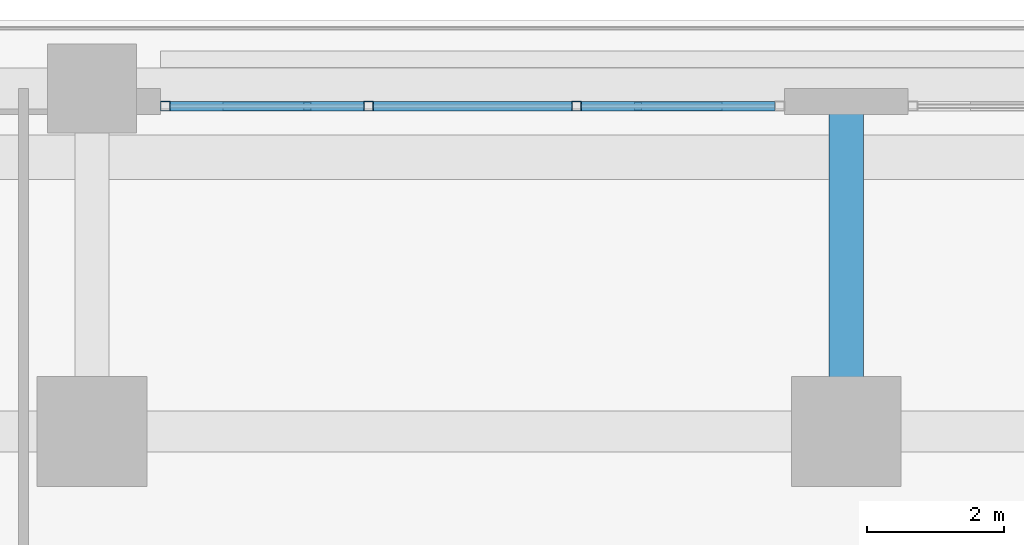
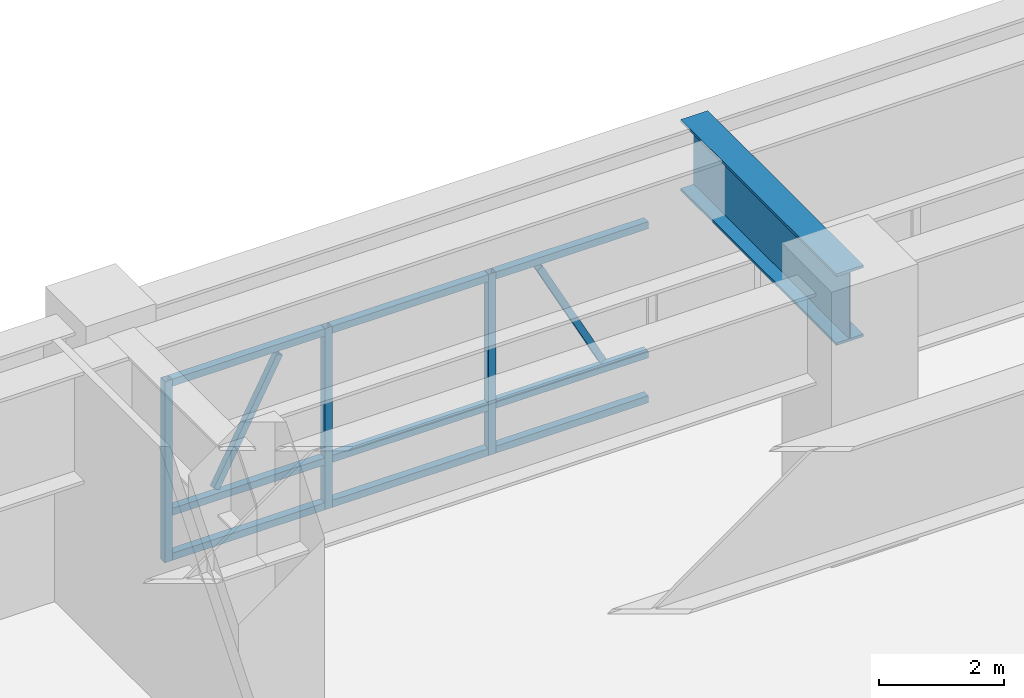
# One storey, part 8 of 28: 14 members, 1 beam, 1 element without a shape of its own.
"""IFC4 building model written with IfcOpenShell, lengths in metres."""

from ifc_helpers import new_model, si_unit, direction, frame, origin, origin_2d, place, context, subcontext, project, spatial, hollow_rectangle, i_section, extrude, source, transform, mapped, material, material_profile, profile_set, type_object, element, aggregate, save


model = new_model("IFC4")

# Units and contexts
model_context = context("Model", 3, precision=1e-05, world=origin(), true_north=direction((0.0, 1.0)))
body_context = subcontext(model_context, "Body", "Model", "MODEL_VIEW")
ifc_project = project(units=[si_unit("LENGTHUNIT", "METRE"), si_unit("AREAUNIT", "SQUARE_METRE"), si_unit("VOLUMEUNIT", "CUBIC_METRE"), si_unit("PLANEANGLEUNIT", "RADIAN"), si_unit("MASSUNIT", "GRAM", prefix="KILO")], contexts=[model_context])

# Site, building, storey
site_placement = place(None, origin())
site = spatial("IfcSite", under=ifc_project, at=site_placement, CompositionType="ELEMENT")
building_placement = place(site_placement, origin())
building = spatial("IfcBuilding", under=site, at=building_placement, Name="Khorayat Bourse Tower", CompositionType="ELEMENT")
storey_placement = place(building_placement, frame((0.0, 0.0, 6.60009765625)))
storey = spatial("IfcBuildingStorey", under=building, at=storey_placement, Name="L01", CompositionType="ELEMENT", Elevation=6.60009765625)

# Beam
ifc_material_1 = material(Name="Steel EN 10025-4 S460M", Category="steel")
ifc_material_profile_1 = material_profile(ifc_material_1, i_section(OverallWidth=0.5, OverallDepth=1.39990234375, WebThickness=0.02490234375, FlangeThickness=0.050048828125, at=origin_2d()), Name="PG 1400x500x25x50")
ifc_profile_set_1 = profile_set([ifc_material_profile_1], Name="Steel EN 10025-4 S460M")
beam_type = type_object("IfcBeamType", Name="BM-TR-1400", PredefinedType="BEAM", material=ifc_profile_set_1)
shared_shape_1 = source(origin(), body_context, "Body", "SweptSolid", [
    extrude(i_section(OverallWidth=0.5, OverallDepth=1.39990234375, WebThickness=0.02490234375, FlangeThickness=0.050048828125, at=origin_2d()), origin(), (0.0, 0.0, 1.0), 5.0),
])
beam_placement = place(storey_placement, frame((0.0, 32.0, 4.3798828125), z_axis=(0.0, 1.0, 0.0), x_axis=(-1.0, 0.0, 0.0)))
element("IfcBeam", 1, at=beam_placement, inside=storey, type_object=beam_type, Name="L01 BM-TR-1400 BM-L01-PGY-132", PredefinedType="BEAM", context=body_context, shape_type="MappedRepresentation", body=[
    mapped(shared_shape_1, transform((0.0, 0.0, 0.0), scale=1.0)),
])

# Curtain wall, members
ifc_material_2 = material(Name="Aluminium EN AW-6063 T6", Category="aluminium")
curtain_wall_type = type_object("IfcCurtainWallType", Name="CW-SYS-01", PredefinedType="NOTDEFINED", material=ifc_material_2)
curtain_wall_placement = place(storey_placement, origin())
curtain_wall = element("IfcCurtainWall", 2, at=curtain_wall_placement, inside=storey, type_object=curtain_wall_type, Name="L01 Curtain Wall CW-L01-NW", PredefinedType="NOTDEFINED")
ifc_material_profile_2 = material_profile(ifc_material_2, hollow_rectangle(XDim=0.139892578125, YDim=0.139892578125, WallThickness=0.006103515625, at=origin_2d()), Name="ALU 140x140x6")
ifc_profile_set_2 = profile_set([ifc_material_profile_2], Name="Aluminium EN AW-6063 T6")
member_type_1 = type_object("IfcMemberType", Name="CWM-VERT-140", PredefinedType="MULLION", material=ifc_profile_set_2)
shared_shape_2 = source(origin(), body_context, "Body", "SweptSolid", [
    extrude(hollow_rectangle(XDim=0.139892578125, YDim=0.139892578125, WallThickness=0.006103515625, at=origin_2d()), origin(), (0.0, 0.0, 1.0), 3.5498046875),
])
member_1_placement = place(storey_placement, frame((-3.933349609375, 36.742919921875, 0.0), z_axis=(0.0, 0.0, 1.0), x_axis=(0.0, -1.0, 0.0)))
member_1 = element("IfcMember", 3, at=member_1_placement, type_object=member_type_1, Name="CW-L01-NW Vertical Mullion 2", PredefinedType="MULLION", context=body_context, shape_type="MappedRepresentation", body=[
    mapped(shared_shape_2, transform((0.0, 0.0, 0.0), scale=1.0)),
])
member_2_placement = place(storey_placement, frame((-6.966552734375, 36.742919921875, 0.0), z_axis=(0.0, 0.0, 1.0), x_axis=(0.0, -1.0, 0.0)))
member_2 = element("IfcMember", 4, at=member_2_placement, type_object=member_type_1, Name="CW-L01-NW Vertical Mullion 3", PredefinedType="MULLION", context=body_context, shape_type="MappedRepresentation", body=[
    mapped(shared_shape_2, transform((0.0, 0.0, 0.0), scale=1.0)),
])
member_3_placement = place(storey_placement, frame((-9.929931640625, 36.742919921875, 0.0), z_axis=(0.0, 0.0, 1.0), x_axis=(0.0, -1.0, 0.0)))
member_3 = element("IfcMember", 5, at=member_3_placement, type_object=member_type_1, Name="CW-L01-NW Vertical Mullion 4", PredefinedType="MULLION", context=body_context, shape_type="MappedRepresentation", body=[
    mapped(shared_shape_2, transform((0.0, 0.0, 0.0), scale=1.0)),
])
ifc_material_profile_3 = material_profile(ifc_material_2, hollow_rectangle(XDim=0.139892578125, YDim=0.139892578125, WallThickness=0.006103515625, at=origin_2d()), Name="ALU 140x140x6")
ifc_profile_set_3 = profile_set([ifc_material_profile_3], Name="Aluminium EN AW-6063 T6")
member_type_2 = type_object("IfcMemberType", Name="CWT-HORZ-140", PredefinedType="USERDEFINED", material=ifc_profile_set_3)
shared_shape_3 = source(origin(), body_context, "Body", "SweptSolid", [
    extrude(hollow_rectangle(XDim=0.139892578125, YDim=0.139892578125, WallThickness=0.006103515625, at=origin_2d()), origin(), (0.0, 0.0, 1.0), 2.823486328125),
])
member_4_placement = place(storey_placement, frame((-7.03662109375, 36.742919921875, 0.06982421875), z_axis=(-1.0, 0.0, 0.0), x_axis=(0.0, -1.0, 0.0)))
member_4 = element("IfcMember", 6, at=member_4_placement, type_object=member_type_2, Name="CW-L01-NW Horizontal Transom 3-1", ObjectType="TRANSOM", PredefinedType="USERDEFINED", context=body_context, shape_type="MappedRepresentation", body=[
    mapped(shared_shape_3, transform((0.0, 0.0, 0.0), scale=1.0)),
])
member_5_placement = place(storey_placement, frame((-7.03662109375, 36.742919921875, 0.949951171875), z_axis=(-1.0, 0.0, 0.0), x_axis=(0.0, -1.0, 0.0)))
member_5 = element("IfcMember", 7, at=member_5_placement, type_object=member_type_2, Name="CW-L01-NW Horizontal Transom 3-2", ObjectType="TRANSOM", PredefinedType="USERDEFINED", context=body_context, shape_type="MappedRepresentation", body=[
    mapped(shared_shape_3, transform((0.0, 0.0, 0.0), scale=1.0)),
])
member_6_placement = place(storey_placement, frame((-7.03662109375, 36.742919921875, 3.47998046875), z_axis=(-1.0, 0.0, 0.0), x_axis=(0.0, -1.0, 0.0)))
member_6 = element("IfcMember", 8, at=member_6_placement, type_object=member_type_2, Name="CW-L01-NW Horizontal Transom 3-3", ObjectType="TRANSOM", PredefinedType="USERDEFINED", context=body_context, shape_type="MappedRepresentation", body=[
    mapped(shared_shape_3, transform((0.0, 0.0, 0.0), scale=1.0)),
])
ifc_material_profile_4 = material_profile(ifc_material_2, hollow_rectangle(XDim=0.1201171875, YDim=0.1201171875, WallThickness=0.0048828125, at=origin_2d()), Name="ALU 120x120x5")
ifc_profile_set_4 = profile_set([ifc_material_profile_4], Name="Aluminium EN AW-6063 T6")
member_type_3 = type_object("IfcMemberType", Name="CWM-DIAG-120", PredefinedType="MULLION", material=ifc_profile_set_4)
shared_shape_4 = source(origin(), body_context, "Body", "SweptSolid", [
    extrude(hollow_rectangle(XDim=0.1201171875, YDim=0.1201171875, WallThickness=0.0048828125, at=origin_2d()), origin(), (0.0, 0.0, 1.0), 2.52001953125),
])
member_7_placement = place(storey_placement, frame((-1.86474609375, 36.742919921875, 1.099853515625), z_axis=(-0.465794346287, 0.0, 0.884893003118), x_axis=(0.0, -1.0, 0.0)))
member_7 = element("IfcMember", 9, at=member_7_placement, type_object=member_type_3, Name="CW-L01-NW Faceted Diagonal Mullion 1", PredefinedType="MULLION", context=body_context, shape_type="MappedRepresentation", body=[
    mapped(shared_shape_4, transform((0.0, 0.0, 0.0), scale=1.0)),
])
member_8_placement = place(storey_placement, frame((-9.03515625, 36.742919921875, 1.099853515625), z_axis=(0.465718481425, 0.0, 0.884932933085), x_axis=(0.0, 1.0, 0.0)))
member_8 = element("IfcMember", 10, at=member_8_placement, type_object=member_type_3, Name="CW-L01-NW Faceted Diagonal Mullion 3", PredefinedType="MULLION", context=body_context, shape_type="MappedRepresentation", body=[
    mapped(shared_shape_4, transform((0.0, 0.0, 0.0), scale=1.0)),
])
shared_shape_5 = source(origin(), body_context, "Body", "SweptSolid", [
    extrude(hollow_rectangle(XDim=0.139892578125, YDim=0.139892578125, WallThickness=0.006103515625, at=origin_2d()), origin(), (0.0, 0.0, 1.0), 2.893310546875),
])
member_9_placement = place(storey_placement, frame((-4.00341796875, 36.742919921875, 0.06982421875), z_axis=(-1.0, 0.0, 0.0), x_axis=(0.0, -1.0, 0.0)))
member_9 = element("IfcMember", 11, at=member_9_placement, type_object=member_type_2, Name="CW-L01-NW Horizontal Transom 2-1", ObjectType="TRANSOM", PredefinedType="USERDEFINED", context=body_context, shape_type="MappedRepresentation", body=[
    mapped(shared_shape_5, transform((0.0, 0.0, 0.0), scale=1.0)),
])
member_10_placement = place(storey_placement, frame((-4.00341796875, 36.742919921875, 0.949951171875), z_axis=(-1.0, 0.0, 0.0), x_axis=(0.0, -1.0, 0.0)))
member_10 = element("IfcMember", 12, at=member_10_placement, type_object=member_type_2, Name="CW-L01-NW Horizontal Transom 2-2", ObjectType="TRANSOM", PredefinedType="USERDEFINED", context=body_context, shape_type="MappedRepresentation", body=[
    mapped(shared_shape_5, transform((0.0, 0.0, 0.0), scale=1.0)),
])
member_11_placement = place(storey_placement, frame((-4.00341796875, 36.742919921875, 3.47998046875), z_axis=(-1.0, 0.0, 0.0), x_axis=(0.0, -1.0, 0.0)))
member_11 = element("IfcMember", 13, at=member_11_placement, type_object=member_type_2, Name="CW-L01-NW Horizontal Transom 2-3", ObjectType="TRANSOM", PredefinedType="USERDEFINED", context=body_context, shape_type="MappedRepresentation", body=[
    mapped(shared_shape_5, transform((0.0, 0.0, 0.0), scale=1.0)),
])
shared_shape_6 = source(origin(), body_context, "Body", "SweptSolid", [
    extrude(hollow_rectangle(XDim=0.139892578125, YDim=0.139892578125, WallThickness=0.006103515625, at=origin_2d()), origin(), (0.0, 0.0, 1.0), 2.8232421875),
])
member_12_placement = place(storey_placement, frame((-1.0400390625, 36.742919921875, 0.06982421875), z_axis=(-1.0, 0.0, 0.0), x_axis=(0.0, -1.0, 0.0)))
member_12 = element("IfcMember", 14, at=member_12_placement, type_object=member_type_2, Name="CW-L01-NW Horizontal Transom 1-1", ObjectType="TRANSOM", PredefinedType="USERDEFINED", context=body_context, shape_type="MappedRepresentation", body=[
    mapped(shared_shape_6, transform((0.0, 0.0, 0.0), scale=1.0)),
])
member_13_placement = place(storey_placement, frame((-1.0400390625, 36.742919921875, 0.949951171875), z_axis=(-1.0, 0.0, 0.0), x_axis=(0.0, -1.0, 0.0)))
member_13 = element("IfcMember", 15, at=member_13_placement, type_object=member_type_2, Name="CW-L01-NW Horizontal Transom 1-2", ObjectType="TRANSOM", PredefinedType="USERDEFINED", context=body_context, shape_type="MappedRepresentation", body=[
    mapped(shared_shape_6, transform((0.0, 0.0, 0.0), scale=1.0)),
])
member_14_placement = place(storey_placement, frame((-1.0400390625, 36.742919921875, 3.47998046875), z_axis=(-1.0, 0.0, 0.0), x_axis=(0.0, -1.0, 0.0)))
member_14 = element("IfcMember", 16, at=member_14_placement, type_object=member_type_2, Name="CW-L01-NW Horizontal Transom 1-3", ObjectType="TRANSOM", PredefinedType="USERDEFINED", context=body_context, shape_type="MappedRepresentation", body=[
    mapped(shared_shape_6, transform((0.0, 0.0, 0.0), scale=1.0)),
])
aggregate(curtain_wall, [member_1, member_2, member_3, member_12, member_13, member_14, member_7, member_9, member_10, member_11, member_4, member_5, member_6, member_8])

save(model, "model.ifc")
